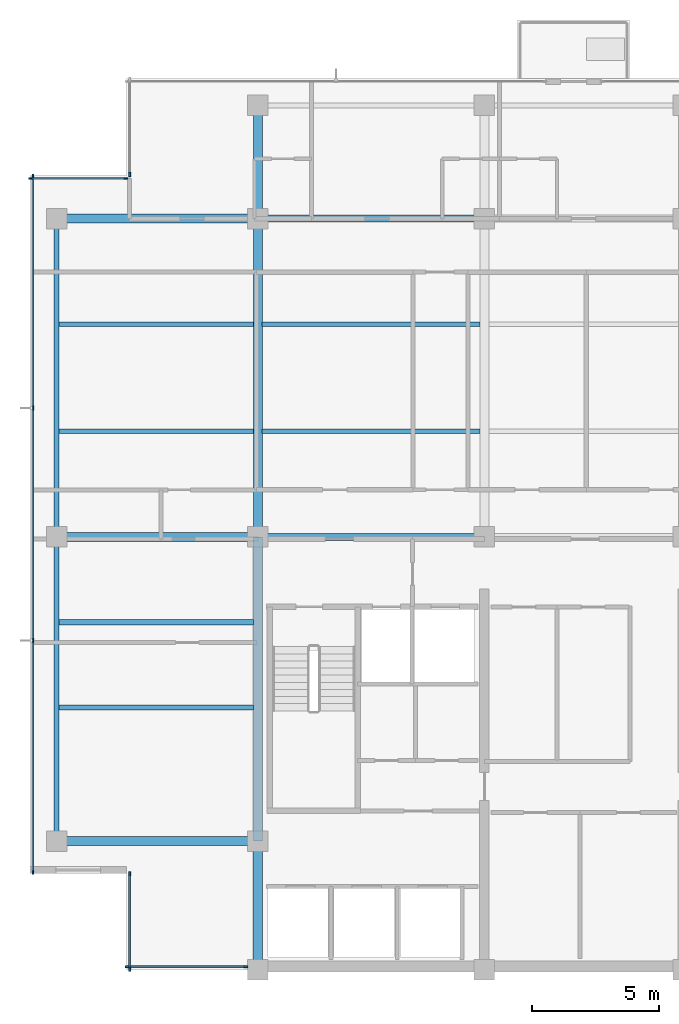
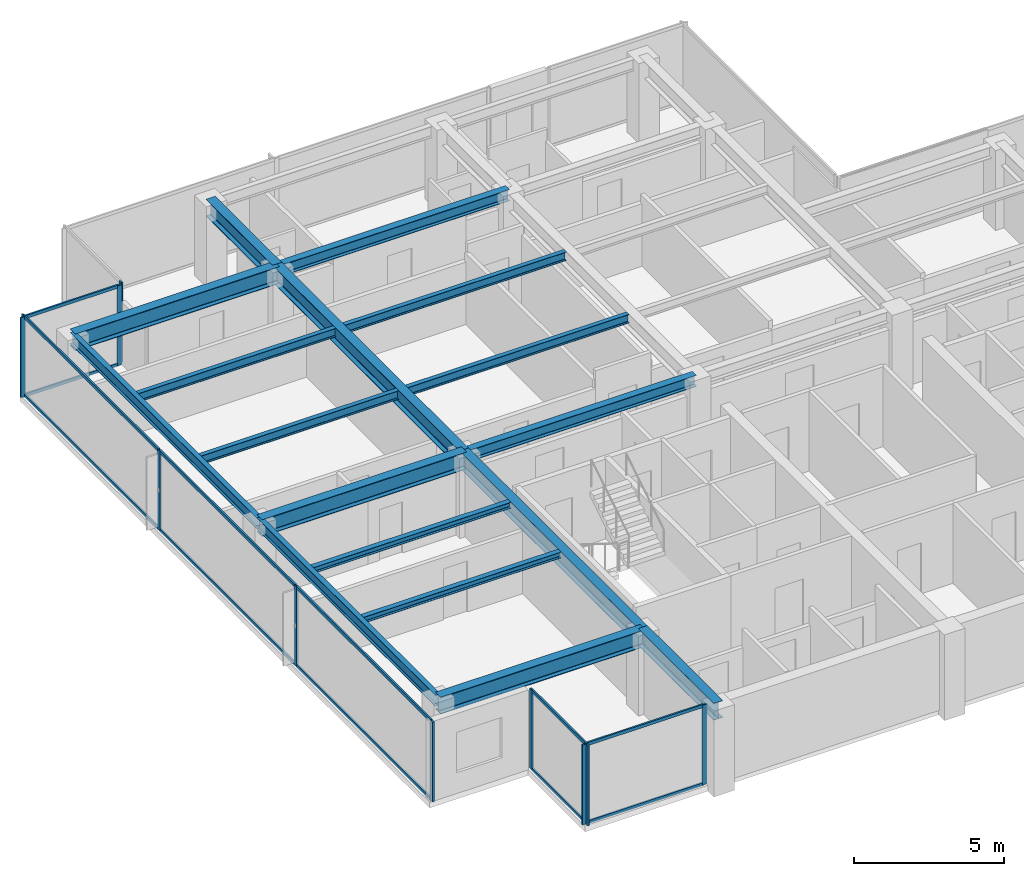
# One storey, part 2 of 11: 23 members, 17 beams, 5 elements without a shape of their own.
"""IFC4 building model written with IfcOpenShell, lengths in metres."""

from ifc_helpers import new_model, si_unit, direction, frame, origin, origin_2d, place, context, subcontext, project, spatial, rectangle, i_section, extrude, material, layer, layer_set, material_profile, profile_set, type_object, element, aggregate, save


model = new_model("IFC4")

# Units and contexts
model_context = context("Model", 3, precision=1e-05, world=origin(), true_north=direction((0.0, 1.0)))
body_context = subcontext(model_context, "Body", "Model", "MODEL_VIEW")
ifc_project = project(units=[si_unit("LENGTHUNIT", "METRE"), si_unit("AREAUNIT", "SQUARE_METRE"), si_unit("VOLUMEUNIT", "CUBIC_METRE"), si_unit("PLANEANGLEUNIT", "RADIAN"), si_unit("MASSUNIT", "GRAM", prefix="KILO")], contexts=[model_context])

# Site, building, storey
site_placement = place(None, origin())
site = spatial("IfcSite", under=ifc_project, at=site_placement, CompositionType="ELEMENT")
building_placement = place(site_placement, origin())
building = spatial("IfcBuilding", under=site, at=building_placement, Name="Qalmaran Belvedere Hotel", CompositionType="ELEMENT")
storey_placement = place(building_placement, frame((0.0, 0.0, 270.39990234375)))
storey = spatial("IfcBuildingStorey", under=building, at=storey_placement, Name="L70", CompositionType="ELEMENT", Elevation=270.39990234375)

# Beams
ifc_material_1 = material(Name="Steel S355JR", Category="steel")
ifc_material_profile_1 = material_profile(ifc_material_1, i_section(OverallWidth=0.201904296875, OverallDepth=0.2470703125, WebThickness=0.00732421875, FlangeThickness=0.010986328125, FilletRadius=0.011962890625, at=origin_2d()), Name="W250X49")
ifc_profile_set_1 = profile_set([ifc_material_profile_1], Name="Steel S355JR")
beam_type_1 = type_object("IfcBeamType", Name="BM-JST-W250X49", PredefinedType="JOIST", material=ifc_profile_set_1)
for number, where, z_axis, x_axis, name in (
    (1, (12.493896484375, 13.800048828125, 3.13671875), (1.0, 0.0, 0.0), (0.0, 1.0, 0.0), "L70 West Wing Joist 031"),
    (2, (12.493896484375, 17.14990234375, 3.13671875), (1.0, 0.0, 0.0), (0.0, 1.0, 0.0), "L70 West Wing Joist 033"),
):
    element("IfcBeam", number, at=place(storey_placement, frame(where, z_axis=z_axis, x_axis=x_axis)), inside=storey, type_object=beam_type_1, Name=name, PredefinedType="JOIST", context=body_context, shape_type="SweptSolid", body=[
        extrude(i_section(OverallWidth=0.201904296875, OverallDepth=0.2470703125, WebThickness=0.00732421875, FlangeThickness=0.010986328125, FilletRadius=0.011962890625, at=origin_2d()), origin(), (0.0, 0.0, 1.0), 7.630615234375),
    ])
ifc_material_profile_2 = material_profile(ifc_material_1, i_section(OverallWidth=0.172119140625, OverallDepth=0.35791015625, WebThickness=0.0078125, FlangeThickness=0.01318359375, FilletRadius=0.014892578125, at=origin_2d()), Name="W360X57")
ifc_profile_set_2 = profile_set([ifc_material_profile_2], Name="Steel S355JR")
beam_type_2 = type_object("IfcBeamType", Name="BM-SB4-W360X57", PredefinedType="BEAM", material=ifc_profile_set_2)
beam_1_placement = place(storey_placement, frame((12.493896484375, 24.64990234375, 3.0810546875), z_axis=(1.0, 0.0, 0.0), x_axis=(0.0, 1.0, 0.0)))
element("IfcBeam", 3, at=beam_1_placement, inside=storey, type_object=beam_type_2, Name="L70 West Secondary Beam 024", PredefinedType="BEAM", context=body_context, shape_type="SweptSolid", body=[
    extrude(i_section(OverallWidth=0.172119140625, OverallDepth=0.35791015625, WebThickness=0.0078125, FlangeThickness=0.01318359375, FilletRadius=0.014892578125, at=origin_2d()), origin(), (0.0, 0.0, 1.0), 7.630615234375),
])
beam_2_placement = place(storey_placement, frame((20.4755859375, 24.64990234375, 3.0810546875), z_axis=(1.0, 0.0, 0.0), x_axis=(0.0, 1.0, 0.0)))
element("IfcBeam", 4, at=beam_2_placement, inside=storey, type_object=beam_type_2, Name="L70 Secondary Floor Beam 025", PredefinedType="BEAM", context=body_context, shape_type="SweptSolid", body=[
    extrude(i_section(OverallWidth=0.172119140625, OverallDepth=0.35791015625, WebThickness=0.0078125, FlangeThickness=0.01318359375, FilletRadius=0.014892578125, at=origin_2d()), origin(), (0.0, 0.0, 1.0), 8.548828125),
])
beam_3_placement = place(storey_placement, frame((12.493896484375, 28.85009765625, 3.0810546875), z_axis=(1.0, 0.0, 0.0), x_axis=(0.0, 1.0, 0.0)))
element("IfcBeam", 5, at=beam_3_placement, inside=storey, type_object=beam_type_2, Name="L70 West Secondary Beam 028", PredefinedType="BEAM", context=body_context, shape_type="SweptSolid", body=[
    extrude(i_section(OverallWidth=0.172119140625, OverallDepth=0.35791015625, WebThickness=0.0078125, FlangeThickness=0.01318359375, FilletRadius=0.014892578125, at=origin_2d()), origin(), (0.0, 0.0, 1.0), 7.630615234375),
])
beam_4_placement = place(storey_placement, frame((20.4755859375, 28.85009765625, 3.0810546875), z_axis=(1.0, 0.0, 0.0), x_axis=(0.0, 1.0, 0.0)))
element("IfcBeam", 6, at=beam_4_placement, inside=storey, type_object=beam_type_2, Name="L70 Secondary Floor Beam 029", PredefinedType="BEAM", context=body_context, shape_type="SweptSolid", body=[
    extrude(i_section(OverallWidth=0.172119140625, OverallDepth=0.35791015625, WebThickness=0.0078125, FlangeThickness=0.01318359375, FilletRadius=0.014892578125, at=origin_2d()), origin(), (0.0, 0.0, 1.0), 8.548828125),
])
ifc_material_profile_3 = material_profile(ifc_material_1, i_section(OverallWidth=0.19189453125, OverallDepth=0.462890625, WebThickness=0.010498046875, FlangeThickness=0.017578125, FilletRadius=0.01611328125, at=origin_2d()), Name="W460X89")
ifc_profile_set_3 = profile_set([ifc_material_profile_3], Name="Steel S355JR")
beam_type_3 = type_object("IfcBeamType", Name="BM-SP2-W460X89", PredefinedType="SPANDREL", material=ifc_profile_set_3)
beam_5_placement = place(storey_placement, frame((12.39990234375, 8.550048828125, 3.028564453125), z_axis=(0.0, 1.0, 0.0), x_axis=(-1.0, 0.0, 0.0)))
element("IfcBeam", 7, at=beam_5_placement, inside=storey, type_object=beam_type_3, Name="L70 Perimeter Spandrel 01", PredefinedType="SPANDREL", context=body_context, shape_type="SweptSolid", body=[
    extrude(i_section(OverallWidth=0.19189453125, OverallDepth=0.462890625, WebThickness=0.010498046875, FlangeThickness=0.017578125, FilletRadius=0.01611328125, at=origin_2d()), origin(), (0.0, 0.0, 1.0), 11.949951171875),
])
beam_6_placement = place(storey_placement, frame((12.39990234375, 20.5, 3.028564453125), z_axis=(0.0, 1.0, 0.0), x_axis=(-1.0, 0.0, 0.0)))
element("IfcBeam", 8, at=beam_6_placement, inside=storey, type_object=beam_type_3, Name="L70 Perimeter Spandrel 02", PredefinedType="SPANDREL", context=body_context, shape_type="SweptSolid", body=[
    extrude(i_section(OverallWidth=0.19189453125, OverallDepth=0.462890625, WebThickness=0.010498046875, FlangeThickness=0.017578125, FilletRadius=0.01611328125, at=origin_2d()), origin(), (0.0, 0.0, 1.0), 12.5),
])
ifc_material_profile_4 = material_profile(ifc_material_1, i_section(OverallWidth=0.35498046875, OverallDepth=0.695068359375, WebThickness=0.015380859375, FlangeThickness=0.02490234375, FilletRadius=0.02197265625, at=origin_2d()), Name="W690X217")
ifc_profile_set_4 = profile_set([ifc_material_profile_4], Name="Steel S355JR")
beam_type_4 = type_object("IfcBeamType", Name="BM-Z1-W690X217", PredefinedType="USERDEFINED", material=ifc_profile_set_4)
beam_7_placement = place(storey_placement, frame((20.300048828125, 20.5, 2.91259765625), z_axis=(0.0, 1.0, 0.0), x_axis=(-1.0, 0.0, 0.0)))
element("IfcBeam", 9, at=beam_7_placement, inside=storey, type_object=beam_type_4, Name="L70 Mid-Plate N-S Girder 11", ObjectType="GIRDER", PredefinedType="USERDEFINED", context=body_context, shape_type="SweptSolid", body=[
    extrude(i_section(OverallWidth=0.35498046875, OverallDepth=0.695068359375, WebThickness=0.015380859375, FlangeThickness=0.02490234375, FilletRadius=0.02197265625, at=origin_2d()), origin(), (0.0, 0.0, 1.0), 12.5),
])
beam_8_placement = place(storey_placement, frame((20.300048828125, 33.0, 2.91259765625), z_axis=(0.0, 1.0, 0.0), x_axis=(-1.0, 0.0, 0.0)))
element("IfcBeam", 10, at=beam_8_placement, inside=storey, type_object=beam_type_4, Name="L70 North Bay Girder 12", ObjectType="GIRDER", PredefinedType="USERDEFINED", context=body_context, shape_type="SweptSolid", body=[
    extrude(i_section(OverallWidth=0.35498046875, OverallDepth=0.695068359375, WebThickness=0.015380859375, FlangeThickness=0.02490234375, FilletRadius=0.02197265625, at=origin_2d()), origin(), (0.0, 0.0, 1.0), 4.449951171875),
])
for number, where, z_axis, x_axis, name in (
    (11, (12.39990234375, 8.550048828125, 2.91259765625), (1.0, 0.0, 0.0), (0.0, 1.0, 0.0), "L70 West Wing Girder 19"),
    (12, (12.39990234375, 20.5, 2.91259765625), (1.0, 0.0, 0.0), (0.0, 1.0, 0.0), "L70 West Wing Girder 20"),
    (13, (12.39990234375, 33.0, 2.91259765625), (1.0, 0.0, 0.0), (0.0, 1.0, 0.0), "L70 West Wing Girder 21"),
):
    element("IfcBeam", number, at=place(storey_placement, frame(where, z_axis=z_axis, x_axis=x_axis)), inside=storey, type_object=beam_type_4, Name=name, ObjectType="GIRDER", PredefinedType="USERDEFINED", context=body_context, shape_type="SweptSolid", body=[
        extrude(i_section(OverallWidth=0.35498046875, OverallDepth=0.695068359375, WebThickness=0.015380859375, FlangeThickness=0.02490234375, FilletRadius=0.02197265625, at=origin_2d()), origin(), (0.0, 0.0, 1.0), 7.900146484375),
    ])
beam_9_placement = place(storey_placement, frame((20.300048828125, 3.5, 2.91259765625), z_axis=(0.0, 1.0, 0.0), x_axis=(-1.0, 0.0, 0.0)))
element("IfcBeam", 14, at=beam_9_placement, inside=storey, type_object=beam_type_4, Name="L70 West Core Edge Girder A", ObjectType="GIRDER", PredefinedType="USERDEFINED", context=body_context, shape_type="SweptSolid", body=[
    extrude(i_section(OverallWidth=0.35498046875, OverallDepth=0.695068359375, WebThickness=0.015380859375, FlangeThickness=0.02490234375, FilletRadius=0.02197265625, at=origin_2d()), origin(), (0.0, 0.0, 1.0), 5.050048828125),
])
beam_10_placement = place(storey_placement, frame((20.300048828125, 8.550048828125, 2.91259765625), z_axis=(0.0, 1.0, 0.0), x_axis=(-1.0, 0.0, 0.0)))
element("IfcBeam", 15, at=beam_10_placement, inside=storey, type_object=beam_type_4, Name="L70 West Core Edge Girder B", ObjectType="GIRDER", PredefinedType="USERDEFINED", context=body_context, shape_type="SweptSolid", body=[
    extrude(i_section(OverallWidth=0.35498046875, OverallDepth=0.695068359375, WebThickness=0.015380859375, FlangeThickness=0.02490234375, FilletRadius=0.02197265625, at=origin_2d()), origin(), (0.0, 0.0, 1.0), 11.949951171875),
])
ifc_material_profile_5 = material_profile(ifc_material_1, i_section(OverallWidth=0.280029296875, OverallDepth=0.462890625, WebThickness=0.0107421875, FlangeThickness=0.017333984375, FilletRadius=0.01611328125, at=origin_2d()), Name="W460X113")
ifc_profile_set_5 = profile_set([ifc_material_profile_5], Name="Steel S355JR")
beam_type_5 = type_object("IfcBeamType", Name="BM-Z5-W460X113", PredefinedType="USERDEFINED", material=ifc_profile_set_5)
for number, where, z_axis, x_axis, name in (
    (16, (20.300048828125, 20.5, 3.028564453125), (1.0, 0.0, 0.0), (0.0, 1.0, 0.0), "L70 Interior E-W Girder 06"),
    (17, (20.300048828125, 33.0, 3.028564453125), (1.0, 0.0, 0.0), (0.0, 1.0, 0.0), "L70 Interior E-W Girder 09"),
):
    element("IfcBeam", number, at=place(storey_placement, frame(where, z_axis=z_axis, x_axis=x_axis)), inside=storey, type_object=beam_type_5, Name=name, ObjectType="GIRDER", PredefinedType="USERDEFINED", context=body_context, shape_type="SweptSolid", body=[
        extrude(i_section(OverallWidth=0.280029296875, OverallDepth=0.462890625, WebThickness=0.0107421875, FlangeThickness=0.017333984375, FilletRadius=0.01611328125, at=origin_2d()), origin(), (0.0, 0.0, 1.0), 8.89990234375),
    ])

# Curtain wall, members
ifc_material_2 = material(Name="Anodised Bronze Aluminium", Category="aluminium")
ifc_layer = layer(ifc_material_2, 0.18505859375, Name="Anodised Bronze Aluminium")
ifc_layer_set = layer_set([ifc_layer], Name="Anodised Bronze Aluminium")
curtain_wall_type = type_object("IfcCurtainWallType", Name="CW6-TOWER-SKY", PredefinedType="NOTDEFINED", material=ifc_layer_set)
curtain_wall_1_placement = place(storey_placement, origin())
curtain_wall_1 = element("IfcCurtainWall", 18, at=curtain_wall_1_placement, inside=storey, type_object=curtain_wall_type, Name="L70 Curtain Wall CW6", PredefinedType="NOTDEFINED")
ifc_material_profile_6 = material_profile(ifc_material_2, rectangle(XDim=0.06494140625, YDim=0.1650390625, at=origin_2d()), Name="CWM65X165")
ifc_profile_set_6 = profile_set([ifc_material_profile_6], Name="Anodised Bronze Aluminium")
member_type_1 = type_object("IfcMemberType", Name="CWM-65X165", PredefinedType="MULLION", material=ifc_profile_set_6)
member_1_placement = place(storey_placement, frame((15.1826171875, 3.6201171875, 0.0), z_axis=(0.0, 0.0, 1.0), x_axis=(0.0, 1.0, 0.0)))
member_1 = element("IfcMember", 19, at=member_1_placement, type_object=member_type_1, Name="CW6 mullion 1", PredefinedType="MULLION", context=body_context, shape_type="SweptSolid", body=[
    extrude(rectangle(XDim=0.06494140625, YDim=0.1650390625, at=origin_2d()), origin(), (0.0, 0.0, 1.0), 3.260009765625),
])
member_2_placement = place(storey_placement, frame((19.827392578125, 3.6201171875, 0.0), z_axis=(0.0, 0.0, 1.0), x_axis=(0.0, 1.0, 0.0)))
member_2 = element("IfcMember", 20, at=member_2_placement, type_object=member_type_1, Name="CW6 mullion 2", PredefinedType="MULLION", context=body_context, shape_type="SweptSolid", body=[
    extrude(rectangle(XDim=0.06494140625, YDim=0.1650390625, at=origin_2d()), origin(), (0.0, 0.0, 1.0), 3.260009765625),
])

# Curtain wall, member
curtain_wall_2_placement = place(storey_placement, origin())
curtain_wall_2 = element("IfcCurtainWall", 21, at=curtain_wall_2_placement, inside=storey, type_object=curtain_wall_type, Name="L70 Curtain Wall CW6", PredefinedType="NOTDEFINED")
member_3_placement = place(storey_placement, frame((15.27001953125, 34.732421875, 0.0), z_axis=(0.0, 0.0, 1.0), x_axis=(1.0, 0.0, 0.0)))
member_3 = element("IfcMember", 22, at=member_3_placement, type_object=member_type_1, Name="CW6 mullion 2", PredefinedType="MULLION", context=body_context, shape_type="SweptSolid", body=[
    extrude(rectangle(XDim=0.06494140625, YDim=0.1650390625, at=origin_2d()), origin(), (0.0, 0.0, 1.0), 3.260009765625),
])
aggregate(curtain_wall_2, [member_3])

# Curtain wall, members
curtain_wall_3_placement = place(storey_placement, origin())
curtain_wall_3 = element("IfcCurtainWall", 23, at=curtain_wall_3_placement, inside=storey, type_object=curtain_wall_type, Name="L70 Curtain Wall CW6", PredefinedType="NOTDEFINED")
member_4_placement = place(storey_placement, frame((15.117431640625, 34.580078125, 0.0), z_axis=(0.0, 0.0, 1.0), x_axis=(0.0, -1.0, 0.0)))
member_4 = element("IfcMember", 24, at=member_4_placement, type_object=member_type_1, Name="CW6 mullion 1", PredefinedType="MULLION", context=body_context, shape_type="SweptSolid", body=[
    extrude(rectangle(XDim=0.06494140625, YDim=0.1650390625, at=origin_2d()), origin(), (0.0, 0.0, 1.0), 3.260009765625),
])
member_5_placement = place(storey_placement, frame((11.382568359375, 34.580078125, 0.0), z_axis=(0.0, 0.0, 1.0), x_axis=(0.0, -1.0, 0.0)))
member_5 = element("IfcMember", 25, at=member_5_placement, type_object=member_type_1, Name="CW6 mullion 2", PredefinedType="MULLION", context=body_context, shape_type="SweptSolid", body=[
    extrude(rectangle(XDim=0.06494140625, YDim=0.1650390625, at=origin_2d()), origin(), (0.0, 0.0, 1.0), 3.260009765625),
])

curtain_wall_4_placement = place(storey_placement, origin())
curtain_wall_4 = element("IfcCurtainWall", 26, at=curtain_wall_4_placement, inside=storey, type_object=curtain_wall_type, Name="L70 Curtain Wall CW6", PredefinedType="NOTDEFINED")
member_6_placement = place(storey_placement, frame((11.469970703125, 34.66748046875, 0.0), z_axis=(0.0, 0.0, 1.0), x_axis=(1.0, 0.0, 0.0)))
member_6 = element("IfcMember", 27, at=member_6_placement, type_object=member_type_1, Name="CW6 mullion 1", PredefinedType="MULLION", context=body_context, shape_type="SweptSolid", body=[
    extrude(rectangle(XDim=0.06494140625, YDim=0.1650390625, at=origin_2d()), origin(), (0.0, 0.0, 1.0), 3.260009765625),
])
member_7_placement = place(storey_placement, frame((11.469970703125, 25.566650390625, 0.0), z_axis=(0.0, 0.0, 1.0), x_axis=(1.0, 0.0, 0.0)))
member_7 = element("IfcMember", 28, at=member_7_placement, type_object=member_type_1, Name="CW6 mullion 2", PredefinedType="MULLION", context=body_context, shape_type="SweptSolid", body=[
    extrude(rectangle(XDim=0.06494140625, YDim=0.1650390625, at=origin_2d()), origin(), (0.0, 0.0, 1.0), 3.260009765625),
])
member_8_placement = place(storey_placement, frame((11.469970703125, 16.433349609375, 0.0), z_axis=(0.0, 0.0, 1.0), x_axis=(1.0, 0.0, 0.0)))
member_8 = element("IfcMember", 29, at=member_8_placement, type_object=member_type_1, Name="CW6 mullion 3", PredefinedType="MULLION", context=body_context, shape_type="SweptSolid", body=[
    extrude(rectangle(XDim=0.06494140625, YDim=0.1650390625, at=origin_2d()), origin(), (0.0, 0.0, 1.0), 3.260009765625),
])
member_9_placement = place(storey_placement, frame((11.469970703125, 7.33251953125, 0.0), z_axis=(0.0, 0.0, 1.0), x_axis=(1.0, 0.0, 0.0)))
member_9 = element("IfcMember", 30, at=member_9_placement, type_object=member_type_1, Name="CW6 mullion 4", PredefinedType="MULLION", context=body_context, shape_type="SweptSolid", body=[
    extrude(rectangle(XDim=0.06494140625, YDim=0.1650390625, at=origin_2d()), origin(), (0.0, 0.0, 1.0), 3.260009765625),
])

curtain_wall_5_placement = place(storey_placement, origin())
curtain_wall_5 = element("IfcCurtainWall", 31, at=curtain_wall_5_placement, inside=storey, type_object=curtain_wall_type, Name="L70 Curtain Wall CW6", PredefinedType="NOTDEFINED")
member_10_placement = place(storey_placement, frame((15.27001953125, 7.267578125, 0.0), z_axis=(0.0, 0.0, 1.0), x_axis=(1.0, 0.0, 0.0)))
member_10 = element("IfcMember", 32, at=member_10_placement, type_object=member_type_1, Name="CW6 mullion 1", PredefinedType="MULLION", context=body_context, shape_type="SweptSolid", body=[
    extrude(rectangle(XDim=0.06494140625, YDim=0.1650390625, at=origin_2d()), origin(), (0.0, 0.0, 1.0), 3.260009765625),
])
member_11_placement = place(storey_placement, frame((15.27001953125, 3.532470703125, 0.0), z_axis=(0.0, 0.0, 1.0), x_axis=(1.0, 0.0, 0.0)))
member_11 = element("IfcMember", 33, at=member_11_placement, type_object=member_type_1, Name="CW6 mullion 2", PredefinedType="MULLION", context=body_context, shape_type="SweptSolid", body=[
    extrude(rectangle(XDim=0.06494140625, YDim=0.1650390625, at=origin_2d()), origin(), (0.0, 0.0, 1.0), 3.260009765625),
])

# Member
ifc_material_profile_7 = material_profile(ifc_material_2, rectangle(XDim=0.06494140625, YDim=0.1298828125, at=origin_2d()), Name="CWT65X130")
ifc_profile_set_7 = profile_set([ifc_material_profile_7], Name="Anodised Bronze Aluminium")
member_type_2 = type_object("IfcMemberType", Name="CWT-65X130", PredefinedType="USERDEFINED", material=ifc_profile_set_7)
member_12_placement = place(storey_placement, frame((15.215087890625, 3.6201171875, 0.03271484375), z_axis=(1.0, 0.0, 0.0), x_axis=(0.0, 1.0, 0.0)))
member_12 = element("IfcMember", 34, at=member_12_placement, type_object=member_type_2, Name="CW6 transom 1.1", ObjectType="TRANSOM", PredefinedType="USERDEFINED", context=body_context, shape_type="SweptSolid", body=[
    extrude(rectangle(XDim=0.06494140625, YDim=0.1298828125, at=origin_2d()), origin(), (0.0, 0.0, 1.0), 4.579833984375),
])

member_13_placement = place(storey_placement, frame((15.215087890625, 3.6201171875, 3.2275390625), z_axis=(1.0, 0.0, 0.0), x_axis=(0.0, 1.0, 0.0)))
member_13 = element("IfcMember", 35, at=member_13_placement, type_object=member_type_2, Name="CW6 transom 1.2", ObjectType="TRANSOM", PredefinedType="USERDEFINED", context=body_context, shape_type="SweptSolid", body=[
    extrude(rectangle(XDim=0.06494140625, YDim=0.1298828125, at=origin_2d()), origin(), (0.0, 0.0, 1.0), 4.579833984375),
])

aggregate(curtain_wall_1, [member_1, member_2, member_12, member_13])

member_14_placement = place(storey_placement, frame((15.0849609375, 34.580078125, 0.03271484375), z_axis=(-1.0, 0.0, 0.0), x_axis=(0.0, -1.0, 0.0)))
member_14 = element("IfcMember", 36, at=member_14_placement, type_object=member_type_2, Name="CW6 transom 1.1", ObjectType="TRANSOM", PredefinedType="USERDEFINED", context=body_context, shape_type="SweptSolid", body=[
    extrude(rectangle(XDim=0.06494140625, YDim=0.1298828125, at=origin_2d()), origin(), (0.0, 0.0, 1.0), 3.669921875),
])

member_15_placement = place(storey_placement, frame((15.0849609375, 34.580078125, 3.2275390625), z_axis=(-1.0, 0.0, 0.0), x_axis=(0.0, -1.0, 0.0)))
member_15 = element("IfcMember", 37, at=member_15_placement, type_object=member_type_2, Name="CW6 transom 1.2", ObjectType="TRANSOM", PredefinedType="USERDEFINED", context=body_context, shape_type="SweptSolid", body=[
    extrude(rectangle(XDim=0.06494140625, YDim=0.1298828125, at=origin_2d()), origin(), (0.0, 0.0, 1.0), 3.669921875),
])

aggregate(curtain_wall_3, [member_4, member_5, member_14, member_15])

member_16_placement = place(storey_placement, frame((11.469970703125, 34.635009765625, 0.03271484375), z_axis=(0.0, -1.0, 0.0), x_axis=(1.0, 0.0, 0.0)))
member_16 = element("IfcMember", 38, at=member_16_placement, type_object=member_type_2, Name="CW6 transom 1.1", ObjectType="TRANSOM", PredefinedType="USERDEFINED", context=body_context, shape_type="SweptSolid", body=[
    extrude(rectangle(XDim=0.06494140625, YDim=0.1298828125, at=origin_2d()), origin(), (0.0, 0.0, 1.0), 9.035888671875),
])

member_17_placement = place(storey_placement, frame((11.469970703125, 34.635009765625, 3.2275390625), z_axis=(0.0, -1.0, 0.0), x_axis=(1.0, 0.0, 0.0)))
member_17 = element("IfcMember", 39, at=member_17_placement, type_object=member_type_2, Name="CW6 transom 1.2", ObjectType="TRANSOM", PredefinedType="USERDEFINED", context=body_context, shape_type="SweptSolid", body=[
    extrude(rectangle(XDim=0.06494140625, YDim=0.1298828125, at=origin_2d()), origin(), (0.0, 0.0, 1.0), 9.035888671875),
])

member_18_placement = place(storey_placement, frame((11.469970703125, 25.5341796875, 0.03271484375), z_axis=(0.0, -1.0, 0.0), x_axis=(1.0, 0.0, 0.0)))
member_18 = element("IfcMember", 40, at=member_18_placement, type_object=member_type_2, Name="CW6 transom 2.1", ObjectType="TRANSOM", PredefinedType="USERDEFINED", context=body_context, shape_type="SweptSolid", body=[
    extrude(rectangle(XDim=0.06494140625, YDim=0.1298828125, at=origin_2d()), origin(), (0.0, 0.0, 1.0), 9.068359375),
])

member_19_placement = place(storey_placement, frame((11.469970703125, 25.5341796875, 3.2275390625), z_axis=(0.0, -1.0, 0.0), x_axis=(1.0, 0.0, 0.0)))
member_19 = element("IfcMember", 41, at=member_19_placement, type_object=member_type_2, Name="CW6 transom 2.2", ObjectType="TRANSOM", PredefinedType="USERDEFINED", context=body_context, shape_type="SweptSolid", body=[
    extrude(rectangle(XDim=0.06494140625, YDim=0.1298828125, at=origin_2d()), origin(), (0.0, 0.0, 1.0), 9.068359375),
])

member_20_placement = place(storey_placement, frame((11.469970703125, 16.40087890625, 0.03271484375), z_axis=(0.0, -1.0, 0.0), x_axis=(1.0, 0.0, 0.0)))
member_20 = element("IfcMember", 42, at=member_20_placement, type_object=member_type_2, Name="CW6 transom 3.1", ObjectType="TRANSOM", PredefinedType="USERDEFINED", context=body_context, shape_type="SweptSolid", body=[
    extrude(rectangle(XDim=0.06494140625, YDim=0.1298828125, at=origin_2d()), origin(), (0.0, 0.0, 1.0), 9.035888671875),
])

member_21_placement = place(storey_placement, frame((11.469970703125, 16.40087890625, 3.2275390625), z_axis=(0.0, -1.0, 0.0), x_axis=(1.0, 0.0, 0.0)))
member_21 = element("IfcMember", 43, at=member_21_placement, type_object=member_type_2, Name="CW6 transom 3.2", ObjectType="TRANSOM", PredefinedType="USERDEFINED", context=body_context, shape_type="SweptSolid", body=[
    extrude(rectangle(XDim=0.06494140625, YDim=0.1298828125, at=origin_2d()), origin(), (0.0, 0.0, 1.0), 9.035888671875),
])

aggregate(curtain_wall_4, [member_6, member_7, member_8, member_9, member_16, member_17, member_18, member_19, member_20, member_21])

member_22_placement = place(storey_placement, frame((15.27001953125, 7.235107421875, 0.03271484375), z_axis=(0.0, -1.0, 0.0), x_axis=(1.0, 0.0, 0.0)))
member_22 = element("IfcMember", 44, at=member_22_placement, type_object=member_type_2, Name="CW6 transom 1.1", ObjectType="TRANSOM", PredefinedType="USERDEFINED", context=body_context, shape_type="SweptSolid", body=[
    extrude(rectangle(XDim=0.06494140625, YDim=0.1298828125, at=origin_2d()), origin(), (0.0, 0.0, 1.0), 3.670166015625),
])

member_23_placement = place(storey_placement, frame((15.27001953125, 7.235107421875, 3.2275390625), z_axis=(0.0, -1.0, 0.0), x_axis=(1.0, 0.0, 0.0)))
member_23 = element("IfcMember", 45, at=member_23_placement, type_object=member_type_2, Name="CW6 transom 1.2", ObjectType="TRANSOM", PredefinedType="USERDEFINED", context=body_context, shape_type="SweptSolid", body=[
    extrude(rectangle(XDim=0.06494140625, YDim=0.1298828125, at=origin_2d()), origin(), (0.0, 0.0, 1.0), 3.670166015625),
])

aggregate(curtain_wall_5, [member_10, member_11, member_22, member_23])

save(model, "model.ifc")
